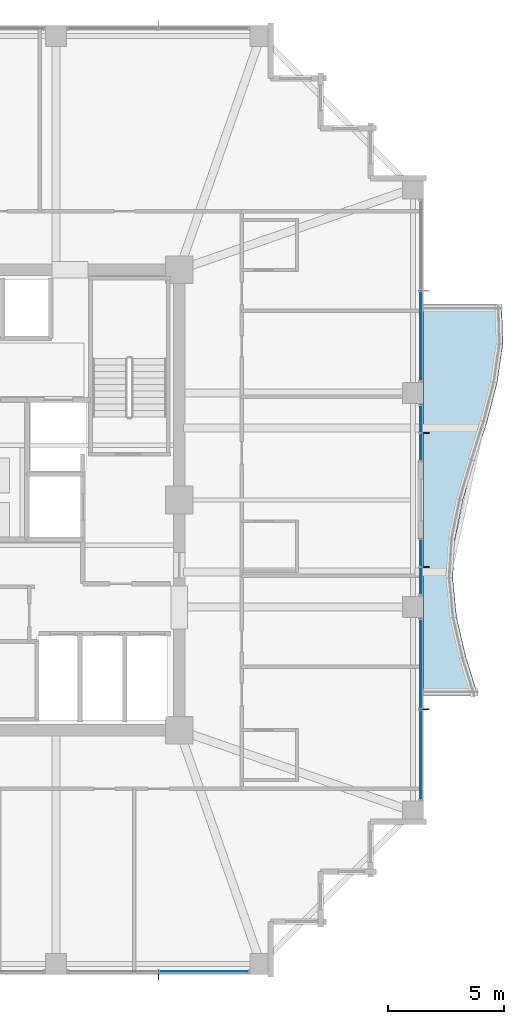
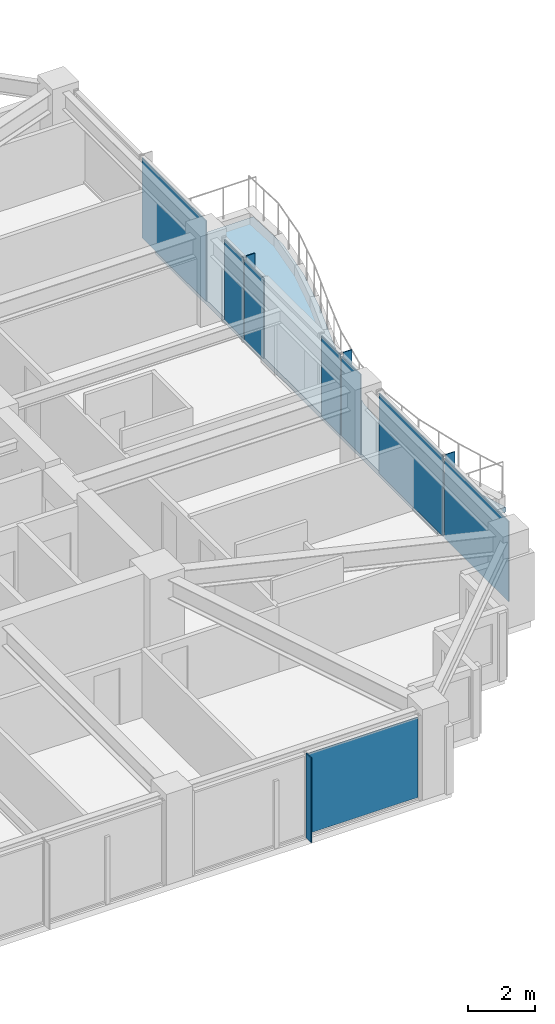
# One storey, part 25 of 34: 12 plates, 1 slab, 5 elements without a shape of their own.
"""IFC4 building model written with IfcOpenShell, lengths in metres."""

from ifc_helpers import new_model, si_unit, direction, frame, origin, origin_2d, place, context, subcontext, project, spatial, polyline, rectangle, outline, extrude, material, layer, layer_set, type_object, element, aggregate, save


model = new_model("IFC4")

# Units and contexts
model_context = context("Model", 3, precision=1e-05, world=origin(), true_north=direction((0.0, 1.0)))
body_context = subcontext(model_context, "Body", "Model", "MODEL_VIEW")
ifc_project = project(units=[si_unit("LENGTHUNIT", "METRE"), si_unit("AREAUNIT", "SQUARE_METRE"), si_unit("VOLUMEUNIT", "CUBIC_METRE"), si_unit("PLANEANGLEUNIT", "RADIAN"), si_unit("MASSUNIT", "GRAM", prefix="KILO")], contexts=[model_context])

# Site, building, storey
site_placement = place(None, origin())
site = spatial("IfcSite", under=ifc_project, at=site_placement, CompositionType="ELEMENT")
building_placement = place(site_placement, origin())
building = spatial("IfcBuilding", under=site, at=building_placement, Name="Kolvaren Belvedere", CompositionType="ELEMENT")
storey_placement = place(building_placement, frame((0.0, 0.0, 189.89990234375)))
storey = spatial("IfcBuildingStorey", under=building, at=storey_placement, Name="L55", CompositionType="ELEMENT", Elevation=189.89990234375)

# Curtain wall, plate
ifc_material_1 = material(Name="Anodised pale-metal aluminium AA 6063-T6", Category="aluminium")
curtain_wall_type = type_object("IfcCurtainWallType", Name="CW-Z5-HIGH", PredefinedType="NOTDEFINED", material=ifc_material_1)
curtain_wall_1_placement = place(storey_placement, origin())
curtain_wall_1 = element("IfcCurtainWall", 1, at=curtain_wall_1_placement, inside=storey, type_object=curtain_wall_type, Name="L55 Unitised Curtain Wall FCW-L55-S-B1", PredefinedType="NOTDEFINED")
ifc_material_2 = material(Name="Low-iron triple insulated glass", Category="glass")
ifc_layer_1 = layer(ifc_material_2, 0.028076171875)
ifc_layer_set_1 = layer_set([ifc_layer_1], Name="Low-iron triple insulated glass")
plate_type_1 = type_object("IfcPlateType", Name="CW-PNL-VIS28", PredefinedType="CURTAIN_PANEL", material=ifc_layer_set_1)
plate_1_placement = place(storey_placement, frame((10.947509765625, -20.280029296875, 0.080078125), z_axis=(0.0, 0.0, 1.0), x_axis=(-1.0, 0.0, 0.0)))
plate_1 = element("IfcPlate", 2, at=plate_1_placement, type_object=plate_type_1, Name="FCW-L55-S-B1 Vision Glazing Panel 1", PredefinedType="CURTAIN_PANEL", context=body_context, shape_type="SweptSolid", body=[
    extrude(rectangle(XDim=3.81494140625, YDim=0.028076171875, at=origin_2d()), origin(), (0.0, 0.0, 1.0), 2.919921875),
])
aggregate(curtain_wall_1, [plate_1])

curtain_wall_2_placement = place(storey_placement, origin())
curtain_wall_2 = element("IfcCurtainWall", 3, at=curtain_wall_2_placement, inside=storey, type_object=curtain_wall_type, Name="L55 Unitised Curtain Wall FCW-L55-E1-B1", PredefinedType="NOTDEFINED")
plate_2_placement = place(storey_placement, frame((20.280029296875, 7.052490234375, 0.080078125), z_axis=(0.0, 0.0, 1.0), x_axis=(0.0, -1.0, 0.0)))
plate_2 = element("IfcPlate", 4, at=plate_2_placement, type_object=plate_type_1, Name="FCW-L55-E1-B1 Vision Glazing Panel 2", PredefinedType="CURTAIN_PANEL", context=body_context, shape_type="SweptSolid", body=[
    extrude(rectangle(XDim=3.81494140625, YDim=0.028076171875, at=origin_2d()), origin(), (0.0, 0.0, 1.0), 2.919921875),
])
aggregate(curtain_wall_2, [plate_2])

# Curtain wall, plates
curtain_wall_3_placement = place(storey_placement, origin())
curtain_wall_3 = element("IfcCurtainWall", 5, at=curtain_wall_3_placement, inside=storey, type_object=curtain_wall_type, Name="L55 Unitised Curtain Wall FCW-L55-E1-B2", PredefinedType="NOTDEFINED")
plate_3_placement = place(storey_placement, frame((20.280029296875, 3.4912109375, 0.080078125), z_axis=(0.0, 0.0, 1.0), x_axis=(0.0, -1.0, 0.0)))
plate_3 = element("IfcPlate", 6, at=plate_3_placement, type_object=plate_type_1, Name="FCW-L55-E1-B2 Vision Glazing Panel 1", PredefinedType="CURTAIN_PANEL", context=body_context, shape_type="SweptSolid", body=[
    extrude(rectangle(XDim=1.12744140625, YDim=0.028076171875, at=origin_2d()), origin(), (0.0, 0.0, 1.0), 2.919921875),
])
plate_4_placement = place(storey_placement, frame((20.280029296875, 2.28369140625, 0.080078125), z_axis=(0.0, 0.0, 1.0), x_axis=(0.0, -1.0, 0.0)))
plate_4 = element("IfcPlate", 7, at=plate_4_placement, type_object=plate_type_1, Name="FCW-L55-E1-B2 Vision Glazing Panel 2", PredefinedType="CURTAIN_PANEL", context=body_context, shape_type="SweptSolid", body=[
    extrude(rectangle(XDim=1.12744140625, YDim=0.028076171875, at=origin_2d()), origin(), (0.0, 0.0, 1.0), 2.919921875),
])
aggregate(curtain_wall_3, [plate_3, plate_4])

curtain_wall_4_placement = place(storey_placement, origin())
curtain_wall_4 = element("IfcCurtainWall", 8, at=curtain_wall_4_placement, inside=storey, type_object=curtain_wall_type, Name="L55 Unitised Curtain Wall FCW-L55-E2-B1", PredefinedType="NOTDEFINED")
plate_5_placement = place(storey_placement, frame((20.280029296875, -2.28369140625, 0.080078125), z_axis=(0.0, 0.0, 1.0), x_axis=(0.0, -1.0, 0.0)))
plate_5 = element("IfcPlate", 9, at=plate_5_placement, type_object=plate_type_1, Name="FCW-L55-E2-B1 Vision Glazing Panel 1", PredefinedType="CURTAIN_PANEL", context=body_context, shape_type="SweptSolid", body=[
    extrude(rectangle(XDim=1.12744140625, YDim=0.028076171875, at=origin_2d()), origin(), (0.0, 0.0, 1.0), 2.919921875),
])
plate_6_placement = place(storey_placement, frame((20.280029296875, -3.4912109375, 0.080078125), z_axis=(0.0, 0.0, 1.0), x_axis=(0.0, -1.0, 0.0)))
plate_6 = element("IfcPlate", 10, at=plate_6_placement, type_object=plate_type_1, Name="FCW-L55-E2-B1 Vision Glazing Panel 2", PredefinedType="CURTAIN_PANEL", context=body_context, shape_type="SweptSolid", body=[
    extrude(rectangle(XDim=1.12744140625, YDim=0.028076171875, at=origin_2d()), origin(), (0.0, 0.0, 1.0), 2.919921875),
])
aggregate(curtain_wall_4, [plate_5, plate_6])

curtain_wall_5_placement = place(storey_placement, origin())
curtain_wall_5 = element("IfcCurtainWall", 11, at=curtain_wall_5_placement, inside=storey, type_object=curtain_wall_type, Name="L55 Unitised Curtain Wall FCW-L55-E2-B2", PredefinedType="NOTDEFINED")
plate_7_placement = place(storey_placement, frame((20.280029296875, -7.052490234375, 0.080078125), z_axis=(0.0, 0.0, 1.0), x_axis=(0.0, -1.0, 0.0)))
plate_7 = element("IfcPlate", 12, at=plate_7_placement, type_object=plate_type_1, Name="FCW-L55-E2-B2 Vision Glazing Panel 1", PredefinedType="CURTAIN_PANEL", context=body_context, shape_type="SweptSolid", body=[
    extrude(rectangle(XDim=3.81494140625, YDim=0.028076171875, at=origin_2d()), origin(), (0.0, 0.0, 1.0), 2.919921875),
])
plate_8_placement = place(storey_placement, frame((20.280029296875, -10.947509765625, 0.080078125), z_axis=(0.0, 0.0, 1.0), x_axis=(0.0, -1.0, 0.0)))
plate_8 = element("IfcPlate", 13, at=plate_8_placement, type_object=plate_type_1, Name="FCW-L55-E2-B2 Vision Glazing Panel 2", PredefinedType="CURTAIN_PANEL", context=body_context, shape_type="SweptSolid", body=[
    extrude(rectangle(XDim=3.81494140625, YDim=0.028076171875, at=origin_2d()), origin(), (0.0, 0.0, 1.0), 2.919921875),
])
aggregate(curtain_wall_5, [plate_7, plate_8])

# Plates
ifc_material_3 = material(Name="Anodised pale-metal aluminium AA 6063-T6", Category="aluminium")
ifc_layer_2 = layer(ifc_material_3, 0.030029296875)
ifc_layer_set_2 = layer_set([ifc_layer_2], Name="Anodised pale-metal aluminium AA 6063-T6")
plate_type_2 = type_object("IfcPlateType", Name="FIN-VERT-300", PredefinedType="USERDEFINED", material=ifc_layer_set_2)
for number, where, z_axis, x_axis, name in (
    (14, (9.0, -20.489990234375, 0.0), (0.0, 0.0, 1.0), (0.0, 1.0, 0.0), "L55 Pale-Metal Vertical Shading Fin FCW-L55-S-B1-1"),
    (15, (20.489990234375, 2.887451171875, 0.0), (0.0, 0.0, 1.0), (1.0, 0.0, 0.0), "L55 Pale-Metal Vertical Shading Fin FCW-L55-E1-B2-1"),
    (16, (20.489990234375, -2.887451171875, 0.0), (0.0, 0.0, 1.0), (1.0, 0.0, 0.0), "L55 Pale-Metal Vertical Shading Fin FCW-L55-E2-B1-1"),
    (17, (20.489990234375, -9.0, 0.0), (0.0, 0.0, 1.0), (1.0, 0.0, 0.0), "L55 Pale-Metal Vertical Shading Fin FCW-L55-E2-B2-1"),
):
    element("IfcPlate", number, at=place(storey_placement, frame(where, z_axis=z_axis, x_axis=x_axis)), inside=storey, type_object=plate_type_2, Name=name, ObjectType="VERTICAL FIN", PredefinedType="USERDEFINED", context=body_context, shape_type="SweptSolid", body=[
        extrude(rectangle(XDim=0.300048828125, YDim=0.030029296875, at=origin_2d()), origin(), (0.0, 0.0, 1.0), 3.080078125),
    ])

# Slab
ifc_material_4 = material(Name="Concrete C50/60", Category="concrete")
ifc_layer_3 = layer(ifc_material_4, 0.179931640625)
ifc_layer_set_3 = layer_set([ifc_layer_3], Name="Concrete C50/60")
slab_type = type_object("IfcSlabType", Name="SL-BAL-180", PredefinedType="FLOOR", material=ifc_layer_set_3)
slab_placement = place(storey_placement, frame((0.0, 0.0, -0.219970703125)))
element("IfcSlab", 18, at=slab_placement, inside=storey, type_object=slab_type, Name="L55 Planted Balcony BAL-E", PredefinedType="FLOOR", context=body_context, shape_type="SweptSolid", body=[
    extrude(outline(polyline([(22.739990234375, -8.39990234375), (22.2197265625, -6.719970703125), (21.828125, -5.0400390625), (21.662109375, -3.360107421875), (21.7626953125, -1.679931640625), (22.105224609375, 0.0), (22.6044921875, 1.679931640625), (23.1376953125, 3.360107421875), (23.572265625, 5.0400390625), (23.820068359375, 6.719970703125), (23.76708984375, 8.39990234375), (20.39990234375, 8.39990234375), (20.39990234375, 6.719970703125), (20.39990234375, 5.0400390625), (20.39990234375, 3.360107421875), (20.39990234375, 1.679931640625), (20.39990234375, 0.0), (20.39990234375, -1.679931640625), (20.39990234375, -3.360107421875), (20.39990234375, -5.0400390625), (20.39990234375, -6.719970703125), (20.39990234375, -8.39990234375), (22.739990234375, -8.39990234375)])), origin(), (0.0, 0.0, 1.0), 0.18017578125),
])

save(model, "model.ifc")
